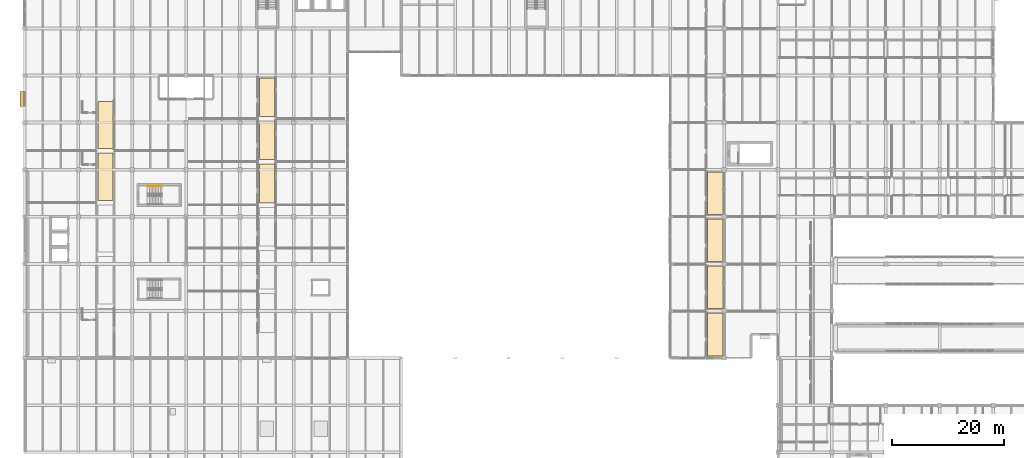
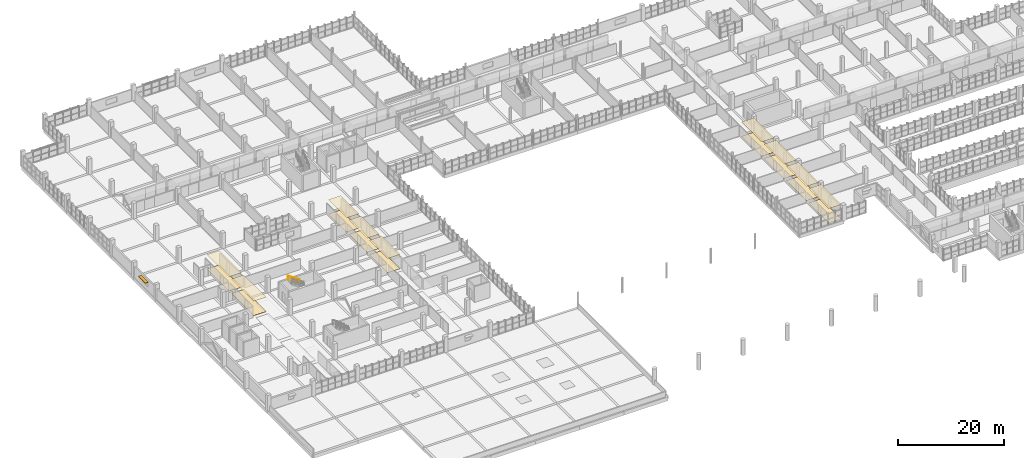
# One storey, part 136 of 147: 18 coverings, 1 railing, 1 shading device.
"""IFC4 building model written with IfcOpenShell, lengths in metres."""

import ifcopenshell
import ifcopenshell.guid

model = None  # the IFC model being written
_history = None  # IfcOwnerHistory: only IFC2X3 demands one
_inside = {}  # id of a spatial element -> (the spatial element, [elements in it])
_under = {}  # id of a project, library or spatial element -> (it, [spatial elements below it])
_declared = {}  # id of a project -> (the project, [libraries it declares])
_typed = {}  # id of a type object -> (the type object, [elements of that type])
_made_of = {}  # id of a material, layer set ... -> (it, [elements and type objects made of it])


def new_model(schema):
    """Start an empty IFC model of exactly this schema.

    Asked for "IFC4X3", IfcOpenShell would pick the latest addendum, in which some entities
    have other attributes; the version numbers below select the first issue.
    IFC2X3 requires an IfcOwnerHistory on every rooted entity: one is made here for all.
    """
    global model, _history
    if schema == "IFC4X3":
        model = ifcopenshell.file(schema_version=(4, 3, 0, 0))
    else:
        model = ifcopenshell.file(schema=schema)
    _inside.clear()
    _under.clear()
    _declared.clear()
    _typed.clear()
    _made_of.clear()
    _history = None
    if model.schema == "IFC2X3":
        org = make("IfcOrganization", Name="unknown")
        user = make(
            "IfcPersonAndOrganization",
            ThePerson=make("IfcPerson", FamilyName="unknown"),
            TheOrganization=org,
        )
        app = make(
            "IfcApplication",
            ApplicationDeveloper=org,
            Version="unknown",
            ApplicationFullName="unknown",
            ApplicationIdentifier="unknown",
        )
        _history = make(
            "IfcOwnerHistory",
            OwningUser=user,
            OwningApplication=app,
            ChangeAction="ADDED",
            CreationDate=0,
        )
    return model


def make(cls, **values):
    """One entity of the class cls with the attributes given. An attribute that is None is left unset."""
    return model.create_entity(
        cls, **{name: value for name, value in values.items() if value is not None}
    )


def rooted(cls, **values):
    """An entity with a GlobalId (a new one), such as an element, a storey or a relation."""
    return make(cls, GlobalId=ifcopenshell.guid.new(), OwnerHistory=_history, **values)


def si_unit(unit_type, name, prefix=None):
    """IfcSIUnit, for example si_unit("LENGTHUNIT", "METRE", prefix="MILLI")."""
    return make("IfcSIUnit", UnitType=unit_type, Prefix=prefix, Name=name)


def assignment(units):
    """IfcUnitAssignment: the units of a project."""
    return None if units is None else make("IfcUnitAssignment", Units=units)


def point(xyz):
    """IfcCartesianPoint."""
    return None if xyz is None else make("IfcCartesianPoint", Coordinates=xyz)


def direction(xyz):
    """IfcDirection."""
    return None if xyz is None else make("IfcDirection", DirectionRatios=xyz)


def frame(location, z_axis=None, x_axis=None):
    """IfcAxis2Placement3D, a coordinate frame: its origin and axes. An axis left out is left unset."""
    return make(
        "IfcAxis2Placement3D",
        Location=point(location),
        Axis=direction(z_axis),
        RefDirection=direction(x_axis),
    )


def frame_2d(location, x_axis=None):
    """IfcAxis2Placement2D, a coordinate frame in the plane: its origin and x axis."""
    return make(
        "IfcAxis2Placement2D", Location=point(location), RefDirection=direction(x_axis)
    )


def origin():
    """The frame at (0, 0, 0) with its axes left unset."""
    return frame((0.0, 0.0, 0.0))


def origin_2d():
    """The frame at (0, 0) in the plane with its x axis left unset."""
    return frame_2d((0.0, 0.0))


def place(relative_to, where):
    """IfcLocalPlacement: puts the frame where relative to a parent placement (None: the world)."""
    return make(
        "IfcLocalPlacement", PlacementRelTo=relative_to, RelativePlacement=where
    )


def context(
    kind, dimensions, precision=None, world=None, true_north=None, identifier=None
):
    """IfcGeometricRepresentationContext, for example the 3D "Model" context."""
    return make(
        "IfcGeometricRepresentationContext",
        ContextIdentifier=identifier,
        ContextType=kind,
        CoordinateSpaceDimension=dimensions,
        Precision=precision,
        WorldCoordinateSystem=world,
        TrueNorth=true_north,
    )


def subcontext(parent, identifier, kind, view, scale=None):
    """IfcGeometricRepresentationSubContext, for example "Body" below "Model"."""
    return make(
        "IfcGeometricRepresentationSubContext",
        ContextIdentifier=identifier,
        ContextType=kind,
        ParentContext=parent,
        TargetScale=scale,
        TargetView=view,
    )


def project(units=None, contexts=None):
    """IfcProject with its units and contexts."""
    return rooted(
        "IfcProject",
        Name="project",
        RepresentationContexts=contexts,
        UnitsInContext=assignment(units),
    )


def spatial(cls, under=None, at=None, **own):
    """A site, building, storey or space (cls), placed at a placement, below another one or the project."""
    s = rooted(cls, ObjectPlacement=at, **own)
    if under is not None:
        _under.setdefault(under.id(), (under, []))[1].append(s)
    return s


def polyline(points):
    """IfcPolyline through the points."""
    return make("IfcPolyline", Points=[point(p) for p in points])


def profile(cls, at=None, kind="AREA", **sizes):
    """A parametric profile (cls). Its sizes go by their IFC names, for example OverallWidth=200.0."""
    return make(cls, ProfileType=kind, Position=at, **sizes)


def rectangle(**sizes):
    """IfcRectangleProfileDef."""
    return profile("IfcRectangleProfileDef", **sizes)


def circle(**sizes):
    """IfcCircleProfileDef."""
    return profile("IfcCircleProfileDef", **sizes)


def outline(outer, holes=None, kind="AREA"):
    """IfcArbitraryClosedProfileDef: a profile drawn as a closed curve; with holes, ...WithVoids."""
    if holes is None:
        return make("IfcArbitraryClosedProfileDef", ProfileType=kind, OuterCurve=outer)
    return make(
        "IfcArbitraryProfileDefWithVoids",
        ProfileType=kind,
        OuterCurve=outer,
        InnerCurves=holes,
    )


def extrude(swept, where, along, depth):
    """IfcExtrudedAreaSolid: the profile swept, set in the frame where, extruded along a direction by depth."""
    return make(
        "IfcExtrudedAreaSolid",
        SweptArea=swept,
        Position=where,
        ExtrudedDirection=direction(along),
        Depth=depth,
    )


def shape(context_of_items, identifier, shape_type, items):
    """IfcShapeRepresentation: the items that make up one representation, for example the "Body"."""
    return make(
        "IfcShapeRepresentation",
        ContextOfItems=context_of_items,
        RepresentationIdentifier=identifier,
        RepresentationType=shape_type,
        Items=items,
    )


def material(Name=None, Category=None):
    """IfcMaterial."""
    return make("IfcMaterial", Name=Name, Category=Category)


def layer(
    of_material, thickness, ventilated=None, Name=None, Category=None, Priority=None
):
    """IfcMaterialLayer: one layer of a wall or slab, of a material (None: an air gap)."""
    return make(
        "IfcMaterialLayer",
        Material=of_material,
        LayerThickness=thickness,
        IsVentilated=ventilated,
        Name=Name,
        Category=Category,
        Priority=Priority,
    )


def layer_set(layers, Name=None):
    """IfcMaterialLayerSet."""
    return make("IfcMaterialLayerSet", MaterialLayers=layers, LayerSetName=Name)


def made_of(thing, what):
    """Note that an element or type object is made of a material, layer set ...; save() writes the relation."""
    if what is not None:
        _made_of.setdefault(what.id(), (what, []))[1].append(thing)
    return thing


def type_object(cls, material=None, **own):
    """A type object (cls), such as IfcWallType, which elements share."""
    return made_of(rooted(cls, **own), material)


def element(
    cls,
    number,
    at=None,
    inside=None,
    cuts=None,
    type_object=None,
    material=None,
    context=None,
    identifier="Body",
    shape_type=None,
    held_by="IfcProductDefinitionShape",
    body=None,
    shapes=None,
    **own,
):
    """One element of the class cls, such as IfcWall. Its Tag is "e" and its number.

    at: its placement. inside: the storey or other place that contains it. cuts: it is an
    opening in that element (IfcRelVoidsElement). A single representation is given by context,
    identifier, shape_type and body (its items); several are given by shapes. held_by: the class
    of the entity that holds the representations. save() writes the other relations.
    """
    e = rooted(cls, Tag="e%d" % number, ObjectPlacement=at, **own)
    if body is not None:
        shapes = [shape(context, identifier, shape_type, body)]
    if shapes is not None:
        e.Representation = make(held_by, Representations=shapes)
    if inside is not None:
        _inside.setdefault(inside.id(), (inside, []))[1].append(e)
    if cuts is not None:
        rooted(
            "IfcRelVoidsElement", RelatingBuildingElement=cuts, RelatedOpeningElement=e
        )
    if type_object is not None:
        _typed.setdefault(type_object.id(), (type_object, []))[1].append(e)
    return made_of(e, material)


def aggregate(whole, parts):
    """IfcRelAggregates: a whole, such as a stair, and the parts it consists of."""
    return rooted("IfcRelAggregates", RelatingObject=whole, RelatedObjects=parts)


def save(model, path):
    """Write the relations noted so far, then the file.

    IfcRelAggregates (storeys below a building ...), IfcRelContainedInSpatialStructure (elements
    in a storey), IfcRelDefinesByType, IfcRelAssociatesMaterial and IfcRelDeclares: one each for
    every whole, place, type object, material and project.
    """
    for whole, parts in _under.values():
        aggregate(whole, parts)
    for where, things in _inside.values():
        rooted(
            "IfcRelContainedInSpatialStructure",
            RelatedElements=things,
            RelatingStructure=where,
        )
    for kind, things in _typed.values():
        rooted("IfcRelDefinesByType", RelatedObjects=things, RelatingType=kind)
    for what, things in _made_of.values():
        rooted("IfcRelAssociatesMaterial", RelatedObjects=things, RelatingMaterial=what)
    for by, libraries in _declared.values():
        rooted("IfcRelDeclares", RelatingContext=by, RelatedDefinitions=libraries)
    model.write(path)


model = new_model("IFC4")

# Units and contexts
model_context = context("Model", 3, precision=1e-05, world=origin(), true_north=direction((0.0, 1.0)))
body_context = subcontext(model_context, "Body", "Model", "MODEL_VIEW")
ifc_project = project(units=[si_unit("LENGTHUNIT", "METRE"), si_unit("AREAUNIT", "SQUARE_METRE"), si_unit("VOLUMEUNIT", "CUBIC_METRE"), si_unit("PLANEANGLEUNIT", "RADIAN"), si_unit("MASSUNIT", "GRAM", prefix="KILO")], contexts=[model_context])

# Site, building, storey
site_placement = place(None, origin())
site = spatial("IfcSite", under=ifc_project, at=site_placement, CompositionType="ELEMENT")
building_placement = place(site_placement, origin())
building = spatial("IfcBuilding", under=site, at=building_placement, Name="Oolite Switchyard Hospital", CompositionType="ELEMENT")
storey_placement = place(building_placement, frame((0.0, 0.0, 9.89990234375)))
storey = spatial("IfcBuildingStorey", under=building, at=storey_placement, Name="L02", CompositionType="ELEMENT", Elevation=9.89990234375)

# Coverings
ifc_material_1 = material(Name="Hygienic washable mineral-fibre acoustic ceiling")
ifc_layer_1 = layer(ifc_material_1, 0.0400390625)
ifc_layer_set_1 = layer_set([ifc_layer_1], Name="COV-CEIL-AC60")
covering_type_1 = type_object("IfcCoveringType", Name="COV-CEIL-AC60", PredefinedType="CEILING", material=ifc_layer_set_1)
covering_1_placement = place(storey_placement, frame((0.0, 0.0, 3.27001953125)))
element("IfcCovering", 1, at=covering_1_placement, inside=storey, type_object=covering_type_1, Name="L02 Clinical Laboratory Corridor Ceiling 4", PredefinedType="CEILING", context=body_context, shape_type="SweptSolid", body=[
    extrude(outline(polyline([(41.85009765625, 61.300048828125), (44.550048828125, 61.300048828125), (44.550048828125, 68.199951171875), (41.85009765625, 68.199951171875), (41.85009765625, 61.300048828125)])), origin(), (0.0, 0.0, 1.0), 0.0400390625),
])
covering_2_placement = place(storey_placement, frame((0.0, 0.0, 3.27001953125)))
element("IfcCovering", 2, at=covering_2_placement, inside=storey, type_object=covering_type_1, Name="L02 Clinical Laboratory Corridor Ceiling 5", PredefinedType="CEILING", context=body_context, shape_type="SweptSolid", body=[
    extrude(outline(polyline([(41.85009765625, 69.0), (44.550048828125, 69.0), (44.550048828125, 75.89990234375), (41.85009765625, 75.89990234375), (41.85009765625, 69.0)])), origin(), (0.0, 0.0, 1.0), 0.0400390625),
])
covering_3_placement = place(storey_placement, frame((0.0, 0.0, 3.27001953125)))
element("IfcCovering", 3, at=covering_3_placement, inside=storey, type_object=covering_type_1, Name="L02 Clinical Laboratory Corridor Ceiling 6", PredefinedType="CEILING", context=body_context, shape_type="SweptSolid", body=[
    extrude(outline(polyline([(41.85009765625, 76.699951171875), (44.550048828125, 76.699951171875), (44.550048828125, 83.60009765625), (41.85009765625, 83.60009765625), (41.85009765625, 76.699951171875)])), origin(), (0.0, 0.0, 1.0), 0.0400390625),
])
covering_4_placement = place(storey_placement, frame((0.0, 0.0, 3.27001953125)))
element("IfcCovering", 4, at=covering_4_placement, inside=storey, type_object=covering_type_1, Name="L02 Histopathology and Cytology Corridor L02 Ceiling 1", PredefinedType="CEILING", context=body_context, shape_type="SweptSolid", body=[
    extrude(outline(polyline([(121.85009765625, 34.0), (124.550048828125, 34.0), (124.550048828125, 41.60009765625), (121.85009765625, 41.60009765625), (121.85009765625, 34.0)])), origin(), (0.0, 0.0, 1.0), 0.0400390625),
])
covering_5_placement = place(storey_placement, frame((0.0, 0.0, 3.27001953125)))
element("IfcCovering", 5, at=covering_5_placement, inside=storey, type_object=covering_type_1, Name="L02 Histopathology and Cytology Corridor L02 Ceiling 2", PredefinedType="CEILING", context=body_context, shape_type="SweptSolid", body=[
    extrude(outline(polyline([(121.85009765625, 42.39990234375), (124.550048828125, 42.39990234375), (124.550048828125, 50.0), (121.85009765625, 50.0), (121.85009765625, 42.39990234375)])), origin(), (0.0, 0.0, 1.0), 0.0400390625),
])
covering_6_placement = place(storey_placement, frame((0.0, 0.0, 3.27001953125)))
element("IfcCovering", 6, at=covering_6_placement, inside=storey, type_object=covering_type_1, Name="L02 Histopathology and Cytology Corridor L02 Ceiling 3", PredefinedType="CEILING", context=body_context, shape_type="SweptSolid", body=[
    extrude(outline(polyline([(121.85009765625, 50.800048828125), (124.550048828125, 50.800048828125), (124.550048828125, 58.39990234375), (121.85009765625, 58.39990234375), (121.85009765625, 50.800048828125)])), origin(), (0.0, 0.0, 1.0), 0.0400390625),
])
covering_7_placement = place(storey_placement, frame((0.0, 0.0, 3.27001953125)))
element("IfcCovering", 7, at=covering_7_placement, inside=storey, type_object=covering_type_1, Name="L02 Histopathology and Cytology Corridor L02 Ceiling 4", PredefinedType="CEILING", context=body_context, shape_type="SweptSolid", body=[
    extrude(outline(polyline([(121.85009765625, 59.199951171875), (124.550048828125, 59.199951171875), (124.550048828125, 66.800048828125), (121.85009765625, 66.800048828125), (121.85009765625, 59.199951171875)])), origin(), (0.0, 0.0, 1.0), 0.0400390625),
])
covering_8_placement = place(storey_placement, frame((0.0, 0.0, 3.28515625)))
element("IfcCovering", 8, at=covering_8_placement, inside=storey, type_object=covering_type_1, Name="L02 West High-Dependency Ward Corridor Ceiling 4", PredefinedType="CEILING", context=body_context, shape_type="SweptSolid", body=[
    extrude(outline(polyline([(13.050048828125, 61.719970703125), (15.75, 61.719970703125), (15.75, 70.159912109375), (13.050048828125, 70.159912109375), (13.050048828125, 61.719970703125)])), origin(), (0.0, 0.0, 1.0), 0.0400390625),
])
covering_9_placement = place(storey_placement, frame((0.0, 0.0, 3.28515625)))
element("IfcCovering", 9, at=covering_9_placement, inside=storey, type_object=covering_type_1, Name="L02 West High-Dependency Ward Corridor Ceiling 5", PredefinedType="CEILING", context=body_context, shape_type="SweptSolid", body=[
    extrude(outline(polyline([(13.050048828125, 70.9599609375), (15.75, 70.9599609375), (15.75, 79.39990234375), (13.050048828125, 79.39990234375), (13.050048828125, 70.9599609375)])), origin(), (0.0, 0.0, 1.0), 0.0400390625),
])
ifc_material_2 = material(Name="Epoxy terrazzo seamless clinical flooring")
ifc_layer_2 = layer(ifc_material_2, 0.02001953125)
ifc_layer_set_2 = layer_set([ifc_layer_2], Name="COV-FLR-TER20")
covering_type_2 = type_object("IfcCoveringType", Name="COV-FLR-TER20", PredefinedType="FLOORING", material=ifc_layer_set_2)
covering_10_placement = place(storey_placement, origin())
element("IfcCovering", 10, at=covering_10_placement, inside=storey, type_object=covering_type_2, Name="L02 Clinical Laboratory Corridor Flooring 4", PredefinedType="FLOORING", context=body_context, shape_type="SweptSolid", body=[
    extrude(outline(polyline([(41.85009765625, 61.300048828125), (44.550048828125, 61.300048828125), (44.550048828125, 68.199951171875), (41.85009765625, 68.199951171875), (41.85009765625, 61.300048828125)])), origin(), (0.0, 0.0, 1.0), 0.02001953125),
])
covering_11_placement = place(storey_placement, origin())
element("IfcCovering", 11, at=covering_11_placement, inside=storey, type_object=covering_type_2, Name="L02 Clinical Laboratory Corridor Flooring 5", PredefinedType="FLOORING", context=body_context, shape_type="SweptSolid", body=[
    extrude(outline(polyline([(41.85009765625, 69.0), (44.550048828125, 69.0), (44.550048828125, 75.89990234375), (41.85009765625, 75.89990234375), (41.85009765625, 69.0)])), origin(), (0.0, 0.0, 1.0), 0.02001953125),
])
covering_12_placement = place(storey_placement, origin())
element("IfcCovering", 12, at=covering_12_placement, inside=storey, type_object=covering_type_2, Name="L02 Clinical Laboratory Corridor Flooring 6", PredefinedType="FLOORING", context=body_context, shape_type="SweptSolid", body=[
    extrude(outline(polyline([(41.85009765625, 76.699951171875), (44.550048828125, 76.699951171875), (44.550048828125, 83.60009765625), (41.85009765625, 83.60009765625), (41.85009765625, 76.699951171875)])), origin(), (0.0, 0.0, 1.0), 0.02001953125),
])
covering_13_placement = place(storey_placement, origin())
element("IfcCovering", 13, at=covering_13_placement, inside=storey, type_object=covering_type_2, Name="L02 Histopathology and Cytology Corridor L02 Flooring 1", PredefinedType="FLOORING", context=body_context, shape_type="SweptSolid", body=[
    extrude(outline(polyline([(121.85009765625, 34.0), (124.550048828125, 34.0), (124.550048828125, 41.60009765625), (121.85009765625, 41.60009765625), (121.85009765625, 34.0)])), origin(), (0.0, 0.0, 1.0), 0.02001953125),
])
covering_14_placement = place(storey_placement, origin())
element("IfcCovering", 14, at=covering_14_placement, inside=storey, type_object=covering_type_2, Name="L02 Histopathology and Cytology Corridor L02 Flooring 2", PredefinedType="FLOORING", context=body_context, shape_type="SweptSolid", body=[
    extrude(outline(polyline([(121.85009765625, 42.39990234375), (124.550048828125, 42.39990234375), (124.550048828125, 50.0), (121.85009765625, 50.0), (121.85009765625, 42.39990234375)])), origin(), (0.0, 0.0, 1.0), 0.02001953125),
])
covering_15_placement = place(storey_placement, origin())
element("IfcCovering", 15, at=covering_15_placement, inside=storey, type_object=covering_type_2, Name="L02 Histopathology and Cytology Corridor L02 Flooring 3", PredefinedType="FLOORING", context=body_context, shape_type="SweptSolid", body=[
    extrude(outline(polyline([(121.85009765625, 50.800048828125), (124.550048828125, 50.800048828125), (124.550048828125, 58.39990234375), (121.85009765625, 58.39990234375), (121.85009765625, 50.800048828125)])), origin(), (0.0, 0.0, 1.0), 0.02001953125),
])
covering_16_placement = place(storey_placement, origin())
element("IfcCovering", 16, at=covering_16_placement, inside=storey, type_object=covering_type_2, Name="L02 Histopathology and Cytology Corridor L02 Flooring 4", PredefinedType="FLOORING", context=body_context, shape_type="SweptSolid", body=[
    extrude(outline(polyline([(121.85009765625, 59.199951171875), (124.550048828125, 59.199951171875), (124.550048828125, 66.800048828125), (121.85009765625, 66.800048828125), (121.85009765625, 59.199951171875)])), origin(), (0.0, 0.0, 1.0), 0.02001953125),
])
covering_17_placement = place(storey_placement, origin())
element("IfcCovering", 17, at=covering_17_placement, inside=storey, type_object=covering_type_2, Name="L02 West High-Dependency Ward Corridor Flooring 4", PredefinedType="FLOORING", context=body_context, shape_type="SweptSolid", body=[
    extrude(outline(polyline([(13.050048828125, 61.719970703125), (15.75, 61.719970703125), (15.75, 70.159912109375), (13.050048828125, 70.159912109375), (13.050048828125, 61.719970703125)])), origin(), (0.0, 0.0, 1.0), 0.02001953125),
])
covering_18_placement = place(storey_placement, origin())
element("IfcCovering", 18, at=covering_18_placement, inside=storey, type_object=covering_type_2, Name="L02 West High-Dependency Ward Corridor Flooring 5", PredefinedType="FLOORING", context=body_context, shape_type="SweptSolid", body=[
    extrude(outline(polyline([(13.050048828125, 70.9599609375), (15.75, 70.9599609375), (15.75, 79.39990234375), (13.050048828125, 79.39990234375), (13.050048828125, 70.9599609375)])), origin(), (0.0, 0.0, 1.0), 0.02001953125),
])

# Railing
ifc_material_3 = material(Name="Galvanized painted architectural steel handrail", Category="steel")
railing_type = type_object("IfcRailingType", Name="RL-STAIR-HND", PredefinedType="HANDRAIL", material=ifc_material_3)
railing_placement = place(storey_placement, frame((24.47998046875, 64.31005859375, 1.97998046875)))
element("IfcRailing", 19, at=railing_placement, inside=storey, type_object=railing_type, Name="L02 ST-02 stair handrail 2", PredefinedType="HANDRAIL", context=body_context, shape_type="SweptSolid", body=[
    extrude(circle(Radius=0.02392578125, at=origin_2d()), frame((0.0, 0.0, 0.8759765625), z_axis=(-0.841162588446, 0.0, 0.540782303519), x_axis=(0.0, -1.0, 0.0)), (0.0, 0.0, 1.0), 2.995849609375),
    extrude(circle(Radius=0.02099609375, at=origin_2d()), origin(), (0.0, 0.0, 1.0), 0.851806640625),
    extrude(circle(Radius=0.02099609375, at=origin_2d()), frame((-0.840087890625, 0.0, 0.5400390625)), (0.0, 0.0, 1.0), 0.851806640625),
    extrude(circle(Radius=0.02099609375, at=origin_2d()), frame((-1.679931640625, 0.0, 1.080078125)), (0.0, 0.0, 1.0), 0.851806640625),
    extrude(circle(Radius=0.02099609375, at=origin_2d()), frame((-2.52001953125, 0.0, 1.6201171875)), (0.0, 0.0, 1.0), 0.851806640625),
])

# Shading device
ifc_material_4 = material(Name="Precast oolitic limestone architectural concrete C40/50", Category="masonry")
ifc_layer_3 = layer(ifc_material_4, 0.1201171875)
ifc_layer_set_3 = layer_set([ifc_layer_3], Name="SHD-BRISE-900")
shading_device_type = type_object("IfcShadingDeviceType", Name="SHD-BRISE-900", PredefinedType="AWNING", material=ifc_layer_set_3)
shading_device_placement = place(storey_placement, frame((-0.47998046875, 79.800048828125, 2.06005859375), z_axis=(0.0, 0.0, 1.0), x_axis=(0.0, 1.0, 0.0)))
element("IfcShadingDevice", 20, at=shading_device_placement, inside=storey, type_object=shading_device_type, Name="L02 Classical Brise-Soleil Sunshade 35", PredefinedType="AWNING", context=body_context, shape_type="SweptSolid", body=[
    extrude(rectangle(XDim=2.639892578125, YDim=0.699951171875, at=origin_2d()), origin(), (0.0, 0.0, 1.0), 0.1201171875),
])

save(model, "model.ifc")
